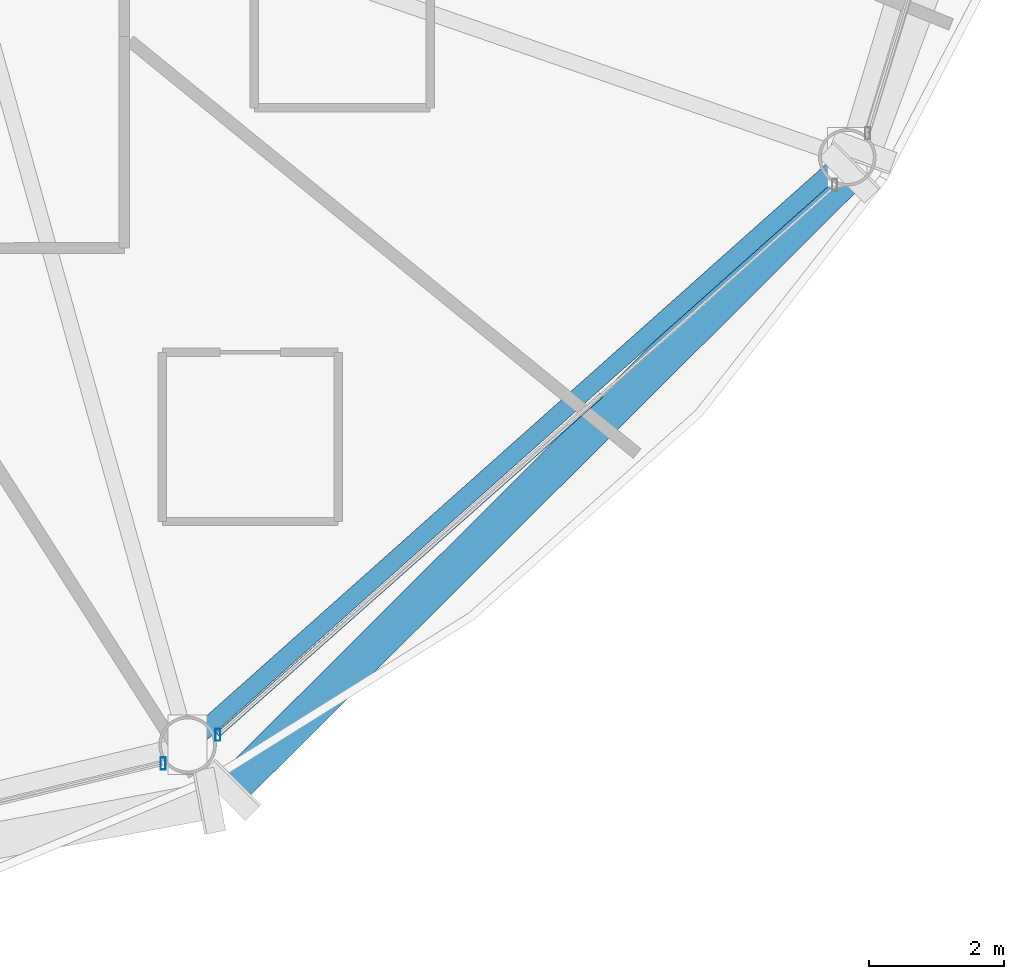
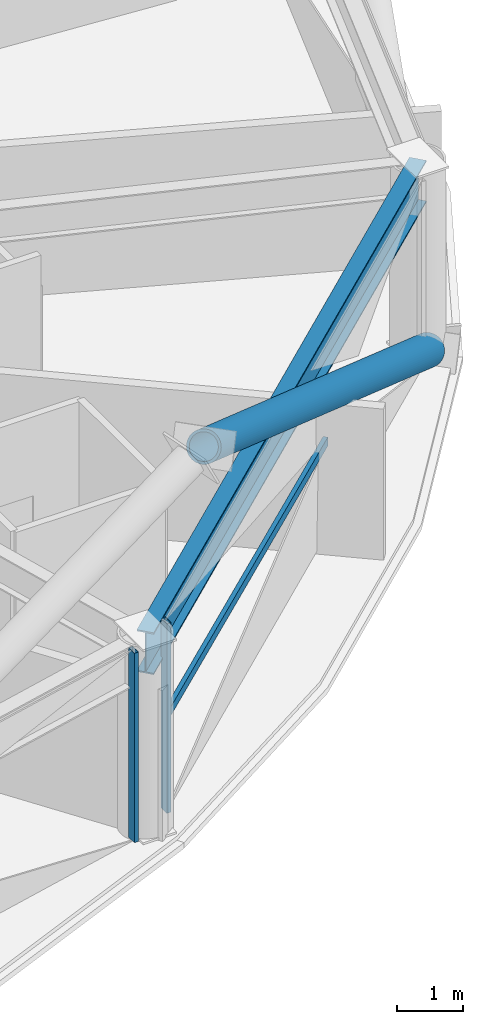
# One storey, part 10 of 30: 4 members, 1 beam, 2 elements without a shape of their own.
"""IFC4 building model written with IfcOpenShell, lengths in metres."""

from ifc_helpers import new_model, si_unit, direction, frame, origin, origin_2d, place, context, subcontext, project, spatial, hollow_rectangle, hollow_circle, i_section, extrude, material, layer, layer_set, material_profile, profile_set, type_object, element, aggregate, save


model = new_model("IFC4")

# Units and contexts
model_context = context("Model", 3, precision=1e-05, world=origin(), true_north=direction((0.0, 1.0)))
body_context = subcontext(model_context, "Body", "Model", "MODEL_VIEW")
ifc_project = project(units=[si_unit("LENGTHUNIT", "METRE"), si_unit("AREAUNIT", "SQUARE_METRE"), si_unit("VOLUMEUNIT", "CUBIC_METRE"), si_unit("PLANEANGLEUNIT", "RADIAN"), si_unit("MASSUNIT", "GRAM", prefix="KILO")], contexts=[model_context])

# Site, building, storey
site_placement = place(None, origin())
site = spatial("IfcSite", under=ifc_project, at=site_placement, CompositionType="ELEMENT")
building_placement = place(site_placement, origin())
building = spatial("IfcBuilding", under=site, at=building_placement, Name="Vantalir Tower", CompositionType="ELEMENT")
storey_placement = place(building_placement, frame((0.0, 0.0, 49.5)))
storey = spatial("IfcBuildingStorey", under=building, at=storey_placement, Name="L11", CompositionType="ELEMENT", Elevation=49.5)

# Beam
ifc_material_1 = material(Name="Steel S460", Category="steel")
ifc_material_profile_1 = material_profile(ifc_material_1, i_section(OverallWidth=0.26806640625, OverallDepth=0.77001953125, WebThickness=0.015625, FlangeThickness=0.025390625, at=origin_2d()), Name="Steel S460")
ifc_profile_set_1 = profile_set([ifc_material_profile_1], Name="Steel S460")
beam_type = type_object("IfcBeamType", Name="BM-RG-762x267", PredefinedType="USERDEFINED", material=ifc_profile_set_1)
beam_placement = place(storey_placement, frame((44.820068359375, 4.452880859375, 3.18505859375), z_axis=(0.746746630555, 0.665108615005, 0.0), x_axis=(-0.665108615005, 0.746746630555, 0.0)))
element("IfcBeam", 1, at=beam_placement, inside=storey, type_object=beam_type, Name="L11 Circumferential Ring Girder 11", ObjectType="GIRDER", PredefinedType="USERDEFINED", context=body_context, shape_type="SweptSolid", body=[
    extrude(i_section(OverallWidth=0.26806640625, OverallDepth=0.77001953125, WebThickness=0.015625, FlangeThickness=0.025390625, at=origin_2d()), origin(), (0.0, 0.0, 1.0), 13.056640625),
])

# Curtain wall, member
ifc_material_2 = material(Name="Champagne-silver PVDF aluminium and double-silver Low-E glass", Category="aluminium")
ifc_layer = layer(ifc_material_2, 0.18994140625)
ifc_layer_set = layer_set([ifc_layer], Name="Champagne-silver PVDF aluminium and double-silver Low-E glass")
curtain_wall_type = type_object("IfcCurtainWallType", Name="CW-DIAMOND-Z1", PredefinedType="USERDEFINED", material=ifc_layer_set)
curtain_wall_1_placement = place(storey_placement, origin())
curtain_wall_1 = element("IfcCurtainWall", 2, at=curtain_wall_1_placement, inside=storey, type_object=curtain_wall_type, Name="L11 Quilted Pyramid-Diamond Curtain Wall S10", ObjectType="UNITISED CURTAIN WALL", PredefinedType="USERDEFINED")
ifc_material_3 = material(Name="Champagne-silver PVDF aluminium 6063-T6", Category="aluminium")
ifc_material_profile_2 = material_profile(ifc_material_3, hollow_rectangle(XDim=0.074951171875, YDim=0.179931640625, WallThickness=0.00390625, at=origin_2d()), Name="Champagne-silver PVDF aluminium 6063-T6")
ifc_profile_set_2 = profile_set([ifc_material_profile_2], Name="Champagne-silver PVDF aluminium 6063-T6")
member_type_1 = type_object("IfcMemberType", Name="CWM-180x75", PredefinedType="MULLION", material=ifc_profile_set_2)
member_1_placement = place(storey_placement, frame((44.4580078125, 4.178955078125, 0.044921875), z_axis=(0.0, 0.0, 1.0), x_axis=(1.0, 0.0, 0.0)))
member_1 = element("IfcMember", 3, at=member_1_placement, type_object=member_type_1, Name="CW-L11-S10 Mullion 2", PredefinedType="MULLION", context=body_context, shape_type="SweptSolid", body=[
    extrude(hollow_rectangle(XDim=0.074951171875, YDim=0.179931640625, WallThickness=0.00390625, at=origin_2d()), origin(), (0.0, 0.0, 1.0), 3.47998046875),
])
aggregate(curtain_wall_1, [member_1])

# Curtain wall, members
curtain_wall_2_placement = place(storey_placement, origin())
curtain_wall_2 = element("IfcCurtainWall", 4, at=curtain_wall_2_placement, inside=storey, type_object=curtain_wall_type, Name="L11 Quilted Pyramid-Diamond Curtain Wall S11", ObjectType="UNITISED CURTAIN WALL", PredefinedType="USERDEFINED")
member_2_placement = place(storey_placement, frame((45.26611328125, 4.60107421875, 0.044921875), z_axis=(0.0, 0.0, 1.0), x_axis=(1.0, 0.0, 0.0)))
member_2 = element("IfcMember", 5, at=member_2_placement, type_object=member_type_1, Name="CW-L11-S11 Mullion 1", PredefinedType="MULLION", context=body_context, shape_type="SweptSolid", body=[
    extrude(hollow_rectangle(XDim=0.074951171875, YDim=0.179931640625, WallThickness=0.00390625, at=origin_2d()), origin(), (0.0, 0.0, 1.0), 3.47998046875),
])
ifc_material_profile_3 = material_profile(ifc_material_3, hollow_rectangle(XDim=0.074951171875, YDim=0.159912109375, WallThickness=0.00390625, at=origin_2d()), Name="Champagne-silver PVDF aluminium 6063-T6")
ifc_profile_set_3 = profile_set([ifc_material_profile_3], Name="Champagne-silver PVDF aluminium 6063-T6")
member_type_2 = type_object("IfcMemberType", Name="CWT-160x75", PredefinedType="USERDEFINED", material=ifc_profile_set_3)
member_3_placement = place(storey_placement, frame((45.26611328125, 4.60107421875, 1.784912109375), z_axis=(0.748506846425, 0.663127062376, 0.0), x_axis=(-0.663127062376, 0.748506846425, 0.0)))
member_3 = element("IfcMember", 6, at=member_3_placement, type_object=member_type_2, Name="CW-L11-S11 Pyramid Fold Ridge Transom", ObjectType="TRANSOM", PredefinedType="USERDEFINED", context=body_context, shape_type="SweptSolid", body=[
    extrude(hollow_rectangle(XDim=0.074951171875, YDim=0.159912109375, WallThickness=0.00390625, at=origin_2d()), origin(), (0.0, 0.0, 1.0), 7.57763671875),
])
aggregate(curtain_wall_2, [member_2, member_3])

# Member
ifc_material_profile_4 = material_profile(ifc_material_1, hollow_circle(Radius=0.27001953125, WallThickness=0.044921875, at=origin_2d()), Name="Steel S460")
ifc_profile_set_4 = profile_set([ifc_material_profile_4], Name="Steel S460")
member_type_3 = type_object("IfcMemberType", Name="MEM-DB-540x45", PredefinedType="BRACE", material=ifc_profile_set_4)
member_4_placement = place(storey_placement, frame((54.597900390625, 12.905029296875, 0.18408203125), z_axis=(-0.623595670539, -0.62141357708, 0.474313826391), x_axis=(0.705866370422, -0.708345019822, 0.0)))
element("IfcMember", 7, at=member_4_placement, inside=storey, type_object=member_type_3, Name="L11 Perimeter S460 Diagrid Brace R34R", PredefinedType="BRACE", context=body_context, shape_type="SweptSolid", body=[
    extrude(hollow_circle(Radius=0.27001953125, WallThickness=0.044921875, at=origin_2d()), origin(), (0.0, 0.0, 1.0), 14.65673828125),
])

save(model, "model.ifc")
